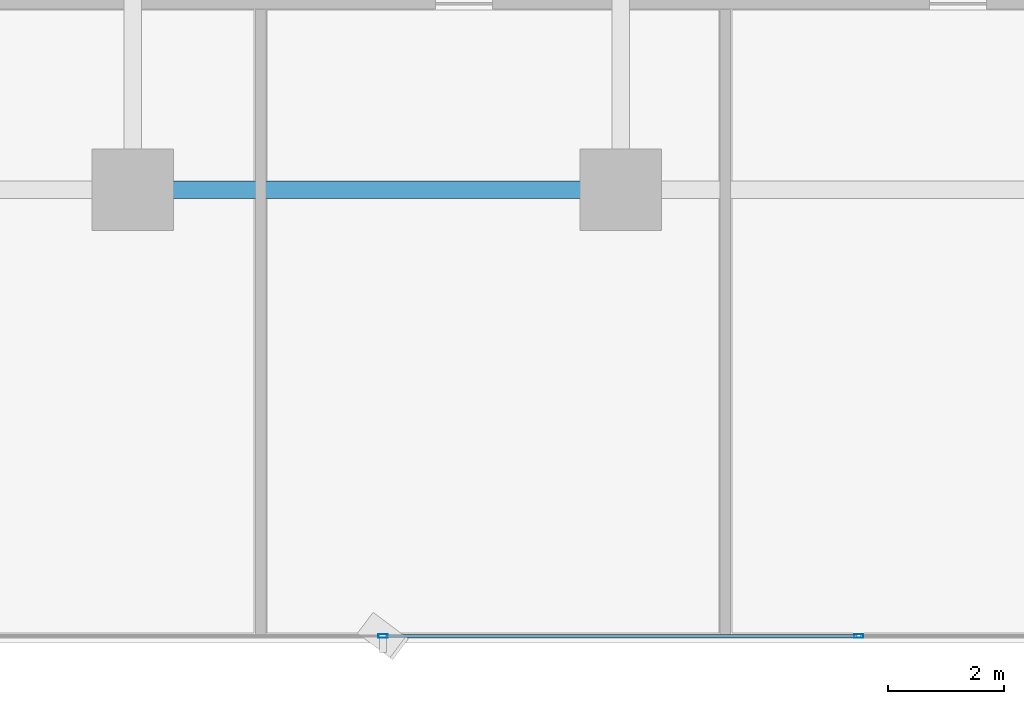
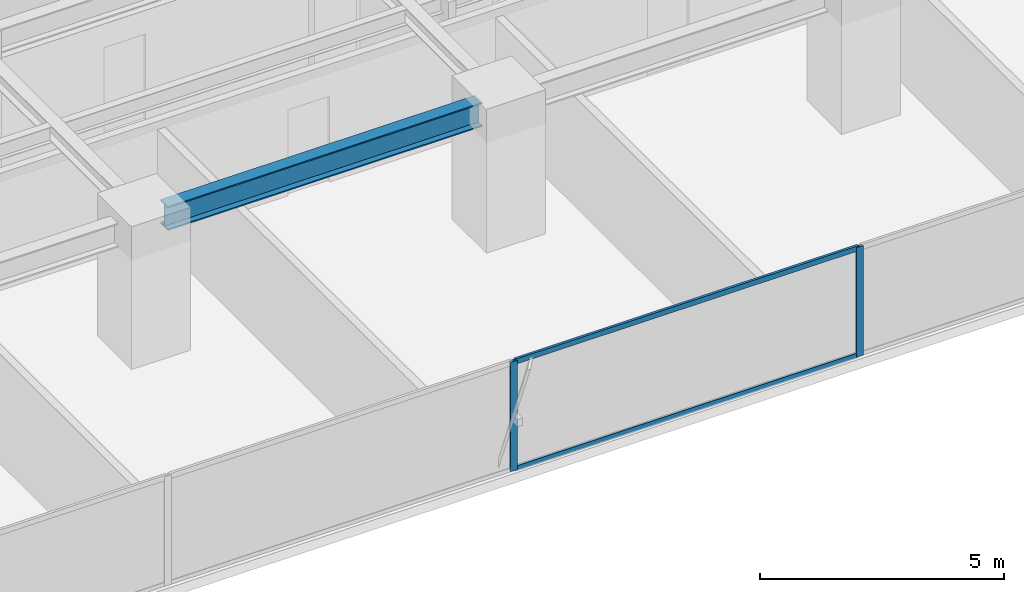
# One storey, part 6 of 37: 4 members, 1 beam, 1 element without a shape of its own.
"""IFC4 building model written with IfcOpenShell, lengths in metres."""

from ifc_helpers import new_model, si_unit, direction, frame, origin, origin_2d, place, context, subcontext, project, spatial, hollow_rectangle, i_section, extrude, source, transform, mapped, material, layer, layer_set, material_profile, profile_set, type_object, element, aggregate, save


model = new_model("IFC4")

# Units and contexts
model_context = context("Model", 3, precision=1e-05, world=origin(), true_north=direction((0.0, 1.0)))
body_context = subcontext(model_context, "Body", "Model", "MODEL_VIEW")
ifc_project = project(units=[si_unit("LENGTHUNIT", "METRE"), si_unit("AREAUNIT", "SQUARE_METRE"), si_unit("VOLUMEUNIT", "CUBIC_METRE"), si_unit("PLANEANGLEUNIT", "RADIAN"), si_unit("MASSUNIT", "GRAM", prefix="KILO")], contexts=[model_context])

# Site, building, storey
site_placement = place(None, origin())
site = spatial("IfcSite", under=ifc_project, at=site_placement, CompositionType="ELEMENT")
building_placement = place(site_placement, origin())
building = spatial("IfcBuilding", under=site, at=building_placement, Name="Sumidabori Civic Tower", CompositionType="ELEMENT")
storey_placement = place(building_placement, frame((0.0, 0.0, 117.199951171875)))
storey = spatial("IfcBuildingStorey", under=building, at=storey_placement, Name="L30", CompositionType="ELEMENT", Elevation=117.199951171875)

# Beam
ifc_material_1 = material(Name="Steel SN490", Category="steel")
ifc_material_profile_1 = material_profile(ifc_material_1, i_section(OverallWidth=0.300048828125, OverallDepth=0.60009765625, WebThickness=0.015380859375, FlangeThickness=0.030029296875, at=origin_2d()), Name="HE 600 B")
ifc_profile_set_1 = profile_set([ifc_material_profile_1], Name="Steel SN490")
beam_type = type_object("IfcBeamType", Name="BM-GIRD-600", PredefinedType="BEAM", material=ifc_profile_set_1)
shared_shape_1 = source(origin(), body_context, "Body", "SweptSolid", [
    extrude(i_section(OverallWidth=0.300048828125, OverallDepth=0.60009765625, WebThickness=0.015380859375, FlangeThickness=0.030029296875, at=origin_2d()), origin(), (0.0, 0.0, 1.0), 7.43994140625),
])
beam_placement = place(storey_placement, frame((-7.919921875, -18.0, 3.06005859375), z_axis=(1.0, 0.0, 0.0), x_axis=(0.0, 1.0, 0.0)))
element("IfcBeam", 1, at=beam_placement, inside=storey, type_object=beam_type, Name="Primary Girder L30 GX-03", PredefinedType="BEAM", context=body_context, shape_type="MappedRepresentation", body=[
    mapped(shared_shape_1, transform((0.0, 0.0, 0.0), x_axis=(1.0, 0.0, 0.0), y_axis=(0.0, 1.0, 0.0), z_axis=(0.0, 0.0, 1.0), scale=1.0)),
])

# Curtain wall, members
ifc_material_2 = material(Name="Anodised Bronze Aluminium AW-6063-T6", Category="aluminium")
ifc_layer = layer(ifc_material_2, 0.179931640625, Name="Anodised Bronze Aluminium AW-6063-T6")
ifc_layer_set = layer_set([ifc_layer], Name="Anodised Bronze Aluminium AW-6063-T6")
curtain_wall_type = type_object("IfcCurtainWallType", Name="CW-SYS-3", PredefinedType="NOTDEFINED", material=ifc_layer_set)
curtain_wall_placement = place(storey_placement, origin())
curtain_wall = element("IfcCurtainWall", 2, at=curtain_wall_placement, inside=storey, type_object=curtain_wall_type, Name="Curtain Wall CW:L30:R01", PredefinedType="NOTDEFINED")
ifc_material_profile_2 = material_profile(ifc_material_2, hollow_rectangle(XDim=0.06494140625, YDim=0.159912109375, WallThickness=0.0048828125, at=origin_2d()), Name="ALU MULLION 160x65")
ifc_profile_set_2 = profile_set([ifc_material_profile_2], Name="Anodised Bronze Aluminium AW-6063-T6")
member_type_1 = type_object("IfcMemberType", Name="CW-MUL-160", PredefinedType="MULLION", material=ifc_profile_set_2)
shared_shape_2 = source(origin(), body_context, "Body", "SweptSolid", [
    extrude(hollow_rectangle(XDim=0.06494140625, YDim=0.159912109375, WallThickness=0.0048828125, at=origin_2d()), origin(), (0.0, 0.0, 1.0), 2.739990234375),
])
member_1_placement = place(storey_placement, frame((-4.093994140625, -25.679931640625, 0.0), z_axis=(0.0, 0.0, 1.0), x_axis=(0.0, 1.0, 0.0)))
member_1 = element("IfcMember", 3, at=member_1_placement, type_object=member_type_1, Name="CW-3 mullion 3", PredefinedType="MULLION", context=body_context, shape_type="MappedRepresentation", body=[
    mapped(shared_shape_2, transform((0.0, 0.0, 0.0), x_axis=(1.0, 0.0, 0.0), y_axis=(0.0, 1.0, 0.0), z_axis=(0.0, 0.0, 1.0), scale=1.0)),
])
member_2_placement = place(storey_placement, frame((4.093994140625, -25.679931640625, 0.0), z_axis=(0.0, 0.0, 1.0), x_axis=(0.0, 1.0, 0.0)))
member_2 = element("IfcMember", 4, at=member_2_placement, type_object=member_type_1, Name="CW-3 mullion 4", PredefinedType="MULLION", context=body_context, shape_type="MappedRepresentation", body=[
    mapped(shared_shape_2, transform((0.0, 0.0, 0.0), x_axis=(1.0, 0.0, 0.0), y_axis=(0.0, 1.0, 0.0), z_axis=(0.0, 0.0, 1.0), scale=1.0)),
])
ifc_material_profile_3 = material_profile(ifc_material_2, hollow_rectangle(XDim=0.06005859375, YDim=0.1298828125, WallThickness=0.0048828125, at=origin_2d()), Name="ALU TRANSOM 130x60")
ifc_profile_set_3 = profile_set([ifc_material_profile_3], Name="Anodised Bronze Aluminium AW-6063-T6")
member_type_2 = type_object("IfcMemberType", Name="CW-TRN-130", PredefinedType="USERDEFINED", material=ifc_profile_set_3)
shared_shape_3 = source(origin(), body_context, "Body", "SweptSolid", [
    extrude(hollow_rectangle(XDim=0.06005859375, YDim=0.1298828125, WallThickness=0.0048828125, at=origin_2d()), origin(), (0.0, 0.0, 1.0), 8.123046875),
])
member_3_placement = place(storey_placement, frame((-4.0615234375, -25.679931640625, 0.030029296875), z_axis=(1.0, 0.0, 0.0), x_axis=(0.0, 1.0, 0.0)))
member_3 = element("IfcMember", 5, at=member_3_placement, type_object=member_type_2, Name="CW-3 transom 3.1", ObjectType="TRANSOM", PredefinedType="USERDEFINED", context=body_context, shape_type="MappedRepresentation", body=[
    mapped(shared_shape_3, transform((0.0, 0.0, 0.0), x_axis=(1.0, 0.0, 0.0), y_axis=(0.0, 1.0, 0.0), z_axis=(0.0, 0.0, 1.0), scale=1.0)),
])
member_4_placement = place(storey_placement, frame((-4.0615234375, -25.679931640625, 2.7099609375), z_axis=(1.0, 0.0, 0.0), x_axis=(0.0, 1.0, 0.0)))
member_4 = element("IfcMember", 6, at=member_4_placement, type_object=member_type_2, Name="CW-3 transom 3.2", ObjectType="TRANSOM", PredefinedType="USERDEFINED", context=body_context, shape_type="MappedRepresentation", body=[
    mapped(shared_shape_3, transform((0.0, 0.0, 0.0), x_axis=(1.0, 0.0, 0.0), y_axis=(0.0, 1.0, 0.0), z_axis=(0.0, 0.0, 1.0), scale=1.0)),
])
aggregate(curtain_wall, [member_1, member_2, member_3, member_4])

save(model, "model.ifc")
